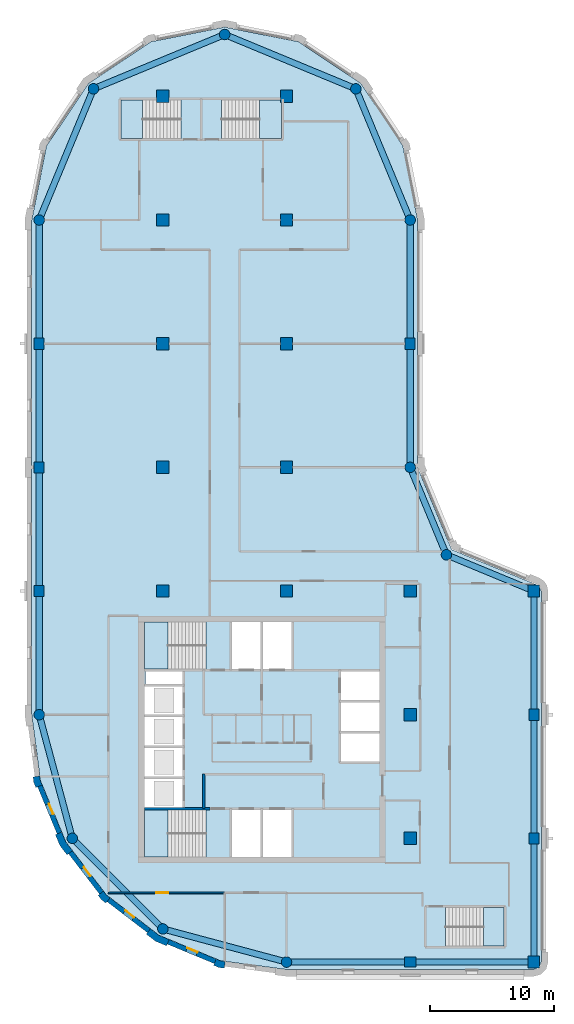
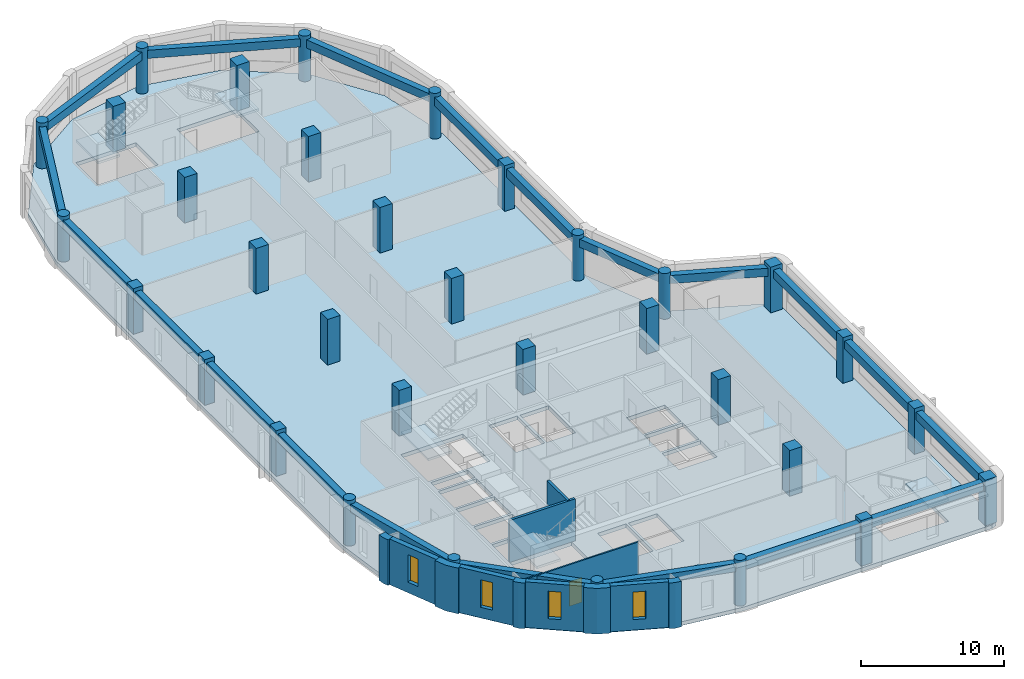
# One storey, part 1 of 8: 33 columns, 20 beams, 12 walls, 6 slabs, 4 windows, 1 door, 5 openings, 5 elements without a shape of their own.
"""IFC4 building model written with IfcOpenShell, lengths in metres."""

from ifc_helpers import new_model, si_unit, direction, frame, frame_2d, origin, origin_2d, place, context, subcontext, project, spatial, polyline, rectangle, circle, outline, extrude, material, layer, layer_set, material_profile, profile_set, type_object, element, fill, aggregate, save


model = new_model("IFC4")

# Units and contexts
model_context = context("Model", 3, precision=1e-05, world=origin(), true_north=direction((0.0, 1.0)))
body_context = subcontext(model_context, "Body", "Model", "MODEL_VIEW")
ifc_project = project(units=[si_unit("LENGTHUNIT", "METRE"), si_unit("AREAUNIT", "SQUARE_METRE"), si_unit("VOLUMEUNIT", "CUBIC_METRE"), si_unit("PLANEANGLEUNIT", "RADIAN"), si_unit("MASSUNIT", "GRAM", prefix="KILO")], contexts=[model_context])

# Site, building, storey
site_placement = place(None, origin())
site = spatial("IfcSite", under=ifc_project, at=site_placement, CompositionType="ELEMENT")
building_placement = place(site_placement, origin())
building = spatial("IfcBuilding", under=site, at=building_placement, Name="Qaws Garden Tower", CompositionType="ELEMENT")
storey_placement = place(building_placement, frame((0.0, 0.0, 298.199951171875)))
storey = spatial("IfcBuildingStorey", under=building, at=storey_placement, Name="L72", CompositionType="ELEMENT", Elevation=298.199951171875)

# Columns
ifc_material_1 = material(Name="Concrete C60", Category="concrete")
ifc_material_profile_1 = material_profile(ifc_material_1, rectangle(XDim=1.0, YDim=1.0, at=origin_2d()), Name="RC 1000x1000")
ifc_profile_set_1 = profile_set([ifc_material_profile_1], Name="Concrete C60")
column_type_1 = type_object("IfcColumnType", Name="Column RC 1000x1000 C60", PredefinedType="COLUMN", material=ifc_profile_set_1)
for number, where, z_axis, x_axis, name in (
    (1, (10.0, 30.0, 0.0), (0.0, 0.0, 1.0), (1.0, 0.0, 0.0), "Column L72-021"),
    (2, (10.0, 40.0, 0.0), (0.0, 0.0, 1.0), (1.0, 0.0, 0.0), "Column L72-022"),
    (3, (10.0, 50.0, 0.0), (0.0, 0.0, 1.0), (1.0, 0.0, 0.0), "Column L72-023"),
    (4, (10.0, 60.0, 0.0), (0.0, 0.0, 1.0), (1.0, 0.0, 0.0), "Column L72-024"),
    (5, (10.0, 70.0, 0.0), (0.0, 0.0, 1.0), (1.0, 0.0, 0.0), "Column L72-025"),
    (6, (20.0, 30.0, 0.0), (0.0, 0.0, 1.0), (1.0, 0.0, 0.0), "Column L72-026"),
    (7, (20.0, 40.0, 0.0), (0.0, 0.0, 1.0), (1.0, 0.0, 0.0), "Column L72-027"),
    (8, (20.0, 50.0, 0.0), (0.0, 0.0, 1.0), (1.0, 0.0, 0.0), "Column L72-028"),
    (9, (20.0, 60.0, 0.0), (0.0, 0.0, 1.0), (1.0, 0.0, 0.0), "Column L72-029"),
    (10, (20.0, 70.0, 0.0), (0.0, 0.0, 1.0), (1.0, 0.0, 0.0), "Column L72-030"),
    (11, (30.0, 10.0, 0.0), (0.0, 0.0, 1.0), (1.0, 0.0, 0.0), "Column L72-031"),
    (12, (30.0, 20.0, 0.0), (0.0, 0.0, 1.0), (1.0, 0.0, 0.0), "Column L72-032"),
    (13, (30.0, 30.0, 0.0), (0.0, 0.0, 1.0), (1.0, 0.0, 0.0), "Column L72-033"),
):
    element("IfcColumn", number, at=place(storey_placement, frame(where, z_axis=z_axis, x_axis=x_axis)), inside=storey, type_object=column_type_1, Name=name, PredefinedType="COLUMN", context=body_context, shape_type="SweptSolid", body=[
        extrude(rectangle(XDim=1.0, YDim=1.0, at=origin_2d()), origin(), (0.0, 0.0, 1.0), 3.900146484375),
    ])
ifc_material_2 = material(Name="Concrete C60", Category="concrete")
ifc_material_profile_2 = material_profile(ifc_material_2, rectangle(XDim=0.89990234375, YDim=0.800048828125, at=origin_2d()), Name="RC 900x800")
ifc_profile_set_2 = profile_set([ifc_material_profile_2], Name="Concrete C60")
column_type_2 = type_object("IfcColumnType", Name="Column RC 900x800 C60", PredefinedType="COLUMN", material=ifc_profile_set_2)
for number, where, z_axis, x_axis, name in (
    (14, (30.0, 0.0, 0.0), (0.0, 0.0, 1.0), (1.0, 0.0, 0.0), "Column L72-002"),
    (15, (40.0, 10.0, 0.0), (0.0, 0.0, 1.0), (0.0, 1.0, 0.0), "Column L72-004"),
    (16, (40.0, 20.0, 0.0), (0.0, 0.0, 1.0), (0.0, 1.0, 0.0), "Column L72-005"),
    (17, (30.0, 50.0, 0.0), (0.0, 0.0, 1.0), (0.0, 1.0, 0.0), "Column L72-009"),
    (18, (0.0, 50.0, 0.0), (0.0, 0.0, 1.0), (0.0, 1.0, 0.0), "Column L72-015"),
    (19, (0.0, 40.0, 0.0), (0.0, 0.0, 1.0), (0.0, 1.0, 0.0), "Column L72-016"),
    (20, (0.0, 30.0, 0.0), (0.0, 0.0, 1.0), (0.0, 1.0, 0.0), "Column L72-017"),
):
    element("IfcColumn", number, at=place(storey_placement, frame(where, z_axis=z_axis, x_axis=x_axis)), inside=storey, type_object=column_type_2, Name=name, PredefinedType="COLUMN", context=body_context, shape_type="SweptSolid", body=[
        extrude(rectangle(XDim=0.89990234375, YDim=0.800048828125, at=origin_2d()), origin(), (0.0, 0.0, 1.0), 3.900146484375),
    ])
ifc_material_3 = material(Name="Concrete C60", Category="concrete")
ifc_material_profile_3 = material_profile(ifc_material_3, rectangle(XDim=0.949951171875, YDim=0.949951171875, at=origin_2d()), Name="RC 950x950")
ifc_profile_set_3 = profile_set([ifc_material_profile_3], Name="Concrete C60")
column_type_3 = type_object("IfcColumnType", Name="Column RC 950x950 C60", PredefinedType="COLUMN", material=ifc_profile_set_3)
for number, where, z_axis, x_axis, name in (
    (21, (40.0, 0.0, 0.0), (0.0, 0.0, 1.0), (1.0, 0.0, 0.0), "Column L72-003"),
    (22, (40.0, 30.0, 0.0), (0.0, 0.0, 1.0), (1.0, 0.0, 0.0), "Column L72-006"),
):
    element("IfcColumn", number, at=place(storey_placement, frame(where, z_axis=z_axis, x_axis=x_axis)), inside=storey, type_object=column_type_3, Name=name, PredefinedType="COLUMN", context=body_context, shape_type="SweptSolid", body=[
        extrude(rectangle(XDim=0.949951171875, YDim=0.949951171875, at=origin_2d()), origin(), (0.0, 0.0, 1.0), 3.900146484375),
    ])
ifc_material_4 = material(Name="Concrete C60", Category="concrete")
ifc_material_profile_4 = material_profile(ifc_material_4, circle(Radius=0.425048828125, at=origin_2d()), Name="RC D850")
ifc_profile_set_4 = profile_set([ifc_material_profile_4], Name="Concrete C60")
column_type_4 = type_object("IfcColumnType", Name="Column RC D850 C60", PredefinedType="COLUMN", material=ifc_profile_set_4)
for number, where, z_axis, x_axis, name in (
    (23, (20.0, 0.0, 0.0), (0.0, 0.0, 1.0), (1.0, 0.0, 0.0), "Column L72-001"),
    (24, (32.928955078125, 32.928955078125, 0.0), (0.0, 0.0, 1.0), (1.0, 0.0, 0.0), "Column L72-007"),
    (25, (30.0, 40.0, 0.0), (0.0, 0.0, 1.0), (1.0, 0.0, 0.0), "Column L72-008"),
    (26, (30.0, 60.0, 0.0), (0.0, 0.0, 1.0), (1.0, 0.0, 0.0), "Column L72-010"),
    (27, (25.606689453125, 70.606689453125, 0.0), (0.0, 0.0, 1.0), (1.0, 0.0, 0.0), "Column L72-011"),
    (28, (15.0, 75.0, 0.0), (0.0, 0.0, 1.0), (1.0, 0.0, 0.0), "Column L72-012"),
    (29, (4.393310546875, 70.606689453125, 0.0), (0.0, 0.0, 1.0), (1.0, 0.0, 0.0), "Column L72-013"),
    (30, (0.0, 60.0, 0.0), (0.0, 0.0, 1.0), (1.0, 0.0, 0.0), "Column L72-014"),
    (31, (0.0, 20.0, 0.0), (0.0, 0.0, 1.0), (1.0, 0.0, 0.0), "Column L72-018"),
    (32, (2.679443359375, 10.0, 0.0), (0.0, 0.0, 1.0), (1.0, 0.0, 0.0), "Column L72-019"),
    (33, (10.0, 2.679443359375, 0.0), (0.0, 0.0, 1.0), (1.0, 0.0, 0.0), "Column L72-020"),
):
    element("IfcColumn", number, at=place(storey_placement, frame(where, z_axis=z_axis, x_axis=x_axis)), inside=storey, type_object=column_type_4, Name=name, PredefinedType="COLUMN", context=body_context, shape_type="SweptSolid", body=[
        extrude(circle(Radius=0.425048828125, at=origin_2d()), origin(), (0.0, 0.0, 1.0), 3.900146484375),
    ])

# Beams
ifc_material_5 = material(Name="Concrete C45", Category="concrete")
ifc_material_profile_5 = material_profile(ifc_material_5, rectangle(XDim=0.5, YDim=0.699951171875, at=origin_2d()), Name="RC 500x700")
ifc_profile_set_5 = profile_set([ifc_material_profile_5], Name="Concrete C45")
beam_type = type_object("IfcBeamType", Name="Spandrel beam RC 500x700 C45", PredefinedType="SPANDREL", material=ifc_profile_set_5)
for number, where, z_axis, x_axis, name in (
    (34, (20.0, 0.0, 3.22998046875), (1.0, 0.0, 0.0), (0.0, 1.0, 0.0), "Spandrel beam L72-001"),
    (35, (30.0, 0.0, 3.22998046875), (1.0, 0.0, 0.0), (0.0, 1.0, 0.0), "Spandrel beam L72-002"),
    (36, (40.0, 0.0, 3.22998046875), (0.0, 1.0, 0.0), (-1.0, 0.0, 0.0), "Spandrel beam L72-003"),
    (37, (40.0, 10.0, 3.22998046875), (0.0, 1.0, 0.0), (-1.0, 0.0, 0.0), "Spandrel beam L72-004"),
    (38, (40.0, 20.0, 3.22998046875), (0.0, 1.0, 0.0), (-1.0, 0.0, 0.0), "Spandrel beam L72-005"),
):
    element("IfcBeam", number, at=place(storey_placement, frame(where, z_axis=z_axis, x_axis=x_axis)), inside=storey, type_object=beam_type, Name=name, PredefinedType="SPANDREL", context=body_context, shape_type="SweptSolid", body=[
        extrude(rectangle(XDim=0.5, YDim=0.699951171875, at=origin_2d()), origin(), (0.0, 0.0, 1.0), 10.0),
    ])
for number, where, z_axis, x_axis, name in (
    (39, (40.0, 30.0, 3.22998046875), (-0.923878037141, 0.382687042488, 0.0), (-0.382687042488, -0.923878037141, 0.0), "Spandrel beam L72-006"),
    (40, (32.928955078125, 32.928955078125, 3.22998046875), (-0.382687042488, 0.923878037141, 0.0), (-0.923878037141, -0.382687042488, 0.0), "Spandrel beam L72-007"),
):
    element("IfcBeam", number, at=place(storey_placement, frame(where, z_axis=z_axis, x_axis=x_axis)), inside=storey, type_object=beam_type, Name=name, PredefinedType="SPANDREL", context=body_context, shape_type="SweptSolid", body=[
        extrude(rectangle(XDim=0.5, YDim=0.699951171875, at=origin_2d()), origin(), (0.0, 0.0, 1.0), 7.653564453125),
    ])
for number, where, z_axis, x_axis, name in (
    (41, (30.0, 40.0, 3.22998046875), (0.0, 1.0, 0.0), (-1.0, 0.0, 0.0), "Spandrel beam L72-008"),
    (42, (30.0, 50.0, 3.22998046875), (0.0, 1.0, 0.0), (-1.0, 0.0, 0.0), "Spandrel beam L72-009"),
):
    element("IfcBeam", number, at=place(storey_placement, frame(where, z_axis=z_axis, x_axis=x_axis)), inside=storey, type_object=beam_type, Name=name, PredefinedType="SPANDREL", context=body_context, shape_type="SweptSolid", body=[
        extrude(rectangle(XDim=0.5, YDim=0.699951171875, at=origin_2d()), origin(), (0.0, 0.0, 1.0), 10.0),
    ])
for number, where, z_axis, x_axis, name in (
    (43, (30.0, 60.0, 3.22998046875), (-0.382674207535, 0.923883353507, 0.0), (-0.923883353507, -0.382674207535, 0.0), "Spandrel beam L72-010"),
    (44, (25.606689453125, 70.606689453125, 3.22998046875), (-0.923883353507, 0.382674207535, 0.0), (-0.382674207535, -0.923883353507, 0.0), "Spandrel beam L72-011"),
    (45, (15.0, 75.0, 3.22998046875), (-0.923883353507, -0.382674207535, 0.0), (0.382674207535, -0.923883353507, 0.0), "Spandrel beam L72-012"),
    (46, (4.393310546875, 70.606689453125, 3.22998046875), (-0.382674207535, -0.923883353507, 0.0), (0.923883353507, -0.382674207535, 0.0), "Spandrel beam L72-013"),
):
    element("IfcBeam", number, at=place(storey_placement, frame(where, z_axis=z_axis, x_axis=x_axis)), inside=storey, type_object=beam_type, Name=name, PredefinedType="SPANDREL", context=body_context, shape_type="SweptSolid", body=[
        extrude(rectangle(XDim=0.5, YDim=0.699951171875, at=origin_2d()), origin(), (0.0, 0.0, 1.0), 11.48046875),
    ])
for number, where, z_axis, x_axis, name in (
    (47, (0.0, 60.0, 3.22998046875), (0.0, -1.0, 0.0), (1.0, 0.0, 0.0), "Spandrel beam L72-014"),
    (48, (0.0, 50.0, 3.22998046875), (0.0, -1.0, 0.0), (1.0, 0.0, 0.0), "Spandrel beam L72-015"),
    (49, (0.0, 40.0, 3.22998046875), (0.0, -1.0, 0.0), (1.0, 0.0, 0.0), "Spandrel beam L72-016"),
    (50, (0.0, 30.0, 3.22998046875), (0.0, -1.0, 0.0), (1.0, 0.0, 0.0), "Spandrel beam L72-017"),
):
    element("IfcBeam", number, at=place(storey_placement, frame(where, z_axis=z_axis, x_axis=x_axis)), inside=storey, type_object=beam_type, Name=name, PredefinedType="SPANDREL", context=body_context, shape_type="SweptSolid", body=[
        extrude(rectangle(XDim=0.5, YDim=0.699951171875, at=origin_2d()), origin(), (0.0, 0.0, 1.0), 10.0),
    ])
for number, where, z_axis, x_axis, name in (
    (51, (0.0, 20.0, 3.22998046875), (0.25881466832, -0.965926999034, 0.0), (0.965926999034, 0.25881466832, 0.0), "Spandrel beam L72-018"),
    (52, (2.679443359375, 10.0, 3.22998046875), (0.707106781187, -0.707106781187, 0.0), (0.707106781187, 0.707106781187, 0.0), "Spandrel beam L72-019"),
    (53, (10.0, 2.679443359375, 3.22998046875), (0.965926999034, -0.25881466832, 0.0), (0.25881466832, 0.965926999034, 0.0), "Spandrel beam L72-020"),
):
    element("IfcBeam", number, at=place(storey_placement, frame(where, z_axis=z_axis, x_axis=x_axis)), inside=storey, type_object=beam_type, Name=name, PredefinedType="SPANDREL", context=body_context, shape_type="SweptSolid", body=[
        extrude(rectangle(XDim=0.5, YDim=0.699951171875, at=origin_2d()), origin(), (0.0, 0.0, 1.0), 10.352783203125),
    ])

# Slab
ifc_material_6 = material(Name="Concrete C40", Category="concrete")
ifc_layer_1 = layer(ifc_material_6, 0.320068359375)
ifc_layer_set_1 = layer_set([ifc_layer_1], Name="Concrete C40")
slab_type_1 = type_object("IfcSlabType", Name="Floor slab 320 C40", PredefinedType="FLOOR", material=ifc_layer_set_1)
slab_1_placement = place(storey_placement, frame((0.0, 0.0, -0.320068359375)))
element("IfcSlab", 54, at=slab_1_placement, inside=storey, type_object=slab_type_1, Name="Floor slab L72", PredefinedType="FLOOR", context=body_context, shape_type="SweptSolid", body=[
    extrude(outline(polyline([(0.101806640625, 14.668212890625), (-0.60009765625, 20.0), (-0.60009765625, 30.60009765625), (-0.60009765625, 60.0), (-0.60009765625, 60.0), (0.58740234375, 65.969970703125), (3.968994140625, 71.031005859375), (9.030029296875, 74.41259765625), (15.0, 75.60009765625), (20.969970703125, 74.41259765625), (26.031005859375, 71.031005859375), (29.41259765625, 65.969970703125), (30.60009765625, 60.0), (30.60009765625, 40.0), (33.353271484375, 33.353271484375), (40.0, 30.60009765625), (40.42431640625, 30.42431640625), (40.60009765625, 30.0), (40.60009765625, 0.0), (40.42431640625, -0.42431640625), (40.0, -0.60009765625), (30.60009765625, -0.60009765625), (20.0, -0.60009765625), (14.668212890625, 0.101806640625), (9.699951171875, 2.159912109375), (5.43359375, 5.43359375), (2.159912109375, 9.699951171875), (0.101806640625, 14.668212890625)]), holes=[polyline([(13.49951171875, 12.300048828125), (8.5, 12.300048828125), (8.5, 8.5), (13.49951171875, 8.5), (13.49951171875, 12.300048828125)]), polyline([(17.89990234375, 12.300048828125), (15.60009765625, 12.300048828125), (15.60009765625, 8.5), (17.89990234375, 8.5), (17.89990234375, 12.300048828125)]), polyline([(11.60009765625, 14.800048828125), (8.5, 14.800048828125), (8.5, 12.5), (11.60009765625, 12.5), (11.60009765625, 14.800048828125)]), polyline([(11.60009765625, 17.300048828125), (8.5, 17.300048828125), (8.5, 15.0), (11.60009765625, 15.0), (11.60009765625, 17.300048828125)]), polyline([(11.60009765625, 19.800048828125), (8.5, 19.800048828125), (8.5, 17.5), (11.60009765625, 17.5), (11.60009765625, 19.800048828125)]), polyline([(11.60009765625, 22.300048828125), (8.5, 22.300048828125), (8.5, 20.0), (11.60009765625, 20.0), (11.60009765625, 22.300048828125)]), polyline([(11.60009765625, 23.5), (8.60009765625, 23.5), (8.60009765625, 22.5), (11.60009765625, 22.5), (11.60009765625, 23.5)]), polyline([(13.49951171875, 27.5), (8.5, 27.5), (8.5, 23.699951171875), (13.49951171875, 23.699951171875), (13.49951171875, 27.5)]), polyline([(11.449462890625, 69.699951171875), (6.60009765625, 69.699951171875), (6.60009765625, 66.60009765625), (11.449462890625, 66.60009765625), (11.449462890625, 69.699951171875)]), polyline([(37.60009765625, 4.39990234375), (32.8505859375, 4.39990234375), (32.8505859375, 1.300048828125), (37.60009765625, 1.300048828125), (37.60009765625, 4.39990234375)]), polyline([(20.39990234375, 12.300048828125), (18.10009765625, 12.300048828125), (18.10009765625, 8.5), (20.39990234375, 8.5), (20.39990234375, 12.300048828125)]), polyline([(27.5, 18.5), (24.39990234375, 18.5), (24.39990234375, 16.199951171875), (27.5, 16.199951171875), (27.5, 18.5)]), polyline([(27.5, 21.0), (24.39990234375, 21.0), (24.39990234375, 18.699951171875), (27.5, 18.699951171875), (27.5, 21.0)]), polyline([(27.5, 23.5), (24.39990234375, 23.5), (24.39990234375, 21.199951171875), (27.5, 21.199951171875), (27.5, 23.5)]), polyline([(17.89990234375, 27.5), (15.60009765625, 27.5), (15.60009765625, 23.699951171875), (17.89990234375, 23.699951171875), (17.89990234375, 27.5)]), polyline([(20.39990234375, 23.699951171875), (20.39990234375, 27.5), (18.10009765625, 27.5), (18.10009765625, 23.699951171875), (20.39990234375, 23.699951171875)]), polyline([(19.60009765625, 66.60009765625), (19.60009765625, 69.699951171875), (14.75048828125, 69.699951171875), (14.75048828125, 66.60009765625), (19.60009765625, 66.60009765625)])]), origin(), (0.0, 0.0, 1.0), 0.320068359375),
])

# Stair, slab
ifc_material_7 = material(Name="Concrete C40", Category="concrete")
stair_type_1 = type_object("IfcStairType", Name="Exit stair 1500", PredefinedType="HALF_TURN_STAIR", material=ifc_material_7)
placement_1 = place(storey_placement, origin())
stair_1 = element("IfcStair", 55, at=placement_1, inside=storey, type_object=stair_type_1, Name="Stair 1", PredefinedType="HALF_TURN_STAIR")
ifc_material_8 = material(Name="Concrete C40", Category="concrete")
ifc_layer_2 = layer(ifc_material_8, 0.199951171875)
ifc_layer_set_2 = layer_set([ifc_layer_2], Name="Concrete C40")
slab_type_2 = type_object("IfcSlabType", Name="Stair landing 200", PredefinedType="LANDING", material=ifc_layer_set_2)
placement_2 = place(storey_placement, frame((0.0, 0.0, 1.75)))
slab_2 = element("IfcSlab", 56, at=placement_2, type_object=slab_type_2, Name="ST1 landing 1", PredefinedType="LANDING", context=body_context, shape_type="SweptSolid", body=[
    extrude(outline(polyline([(8.5, 8.5), (10.419921875, 8.5), (10.419921875, 12.300048828125), (8.5, 12.300048828125), (8.5, 8.5)])), origin(), (0.0, 0.0, 1.0), 0.199951171875),
])
aggregate(stair_1, [slab_2])

stair_2 = element("IfcStair", 57, at=placement_1, inside=storey, type_object=stair_type_1, Name="Stair 4", PredefinedType="HALF_TURN_STAIR")
slab_3 = element("IfcSlab", 58, at=placement_2, type_object=slab_type_2, Name="ST4 landing 1", PredefinedType="LANDING", context=body_context, shape_type="SweptSolid", body=[
    extrude(outline(polyline([(8.5, 23.699951171875), (10.419921875, 23.699951171875), (10.419921875, 27.5), (8.5, 27.5), (8.5, 23.699951171875)])), origin(), (0.0, 0.0, 1.0), 0.199951171875),
])
aggregate(stair_2, [slab_3])

ifc_material_9 = material(Name="Concrete C40", Category="concrete")
stair_type_2 = type_object("IfcStairType", Name="Exit stair 1350", PredefinedType="HALF_TURN_STAIR", material=ifc_material_9)
stair_3 = element("IfcStair", 59, at=placement_1, inside=storey, type_object=stair_type_2, Name="Stair 5", PredefinedType="HALF_TURN_STAIR")
slab_4 = element("IfcSlab", 60, at=placement_2, type_object=slab_type_2, Name="ST5 landing 1", PredefinedType="LANDING", context=body_context, shape_type="SweptSolid", body=[
    extrude(outline(polyline([(35.929931640625, 1.300048828125), (37.60009765625, 1.300048828125), (37.60009765625, 4.39990234375), (35.929931640625, 4.39990234375), (35.929931640625, 1.300048828125)])), origin(), (0.0, 0.0, 1.0), 0.199951171875),
])
aggregate(stair_3, [slab_4])

stair_4 = element("IfcStair", 61, at=placement_1, inside=storey, type_object=stair_type_2, Name="Stair 6", PredefinedType="HALF_TURN_STAIR")
slab_5 = element("IfcSlab", 62, at=placement_2, type_object=slab_type_2, Name="ST6 landing 1", PredefinedType="LANDING", context=body_context, shape_type="SweptSolid", body=[
    extrude(outline(polyline([(6.60009765625, 66.60009765625), (8.3701171875, 66.60009765625), (8.3701171875, 69.699951171875), (6.60009765625, 69.699951171875), (6.60009765625, 66.60009765625)])), origin(), (0.0, 0.0, 1.0), 0.199951171875),
])
aggregate(stair_4, [slab_5])

stair_5 = element("IfcStair", 63, at=placement_1, inside=storey, type_object=stair_type_2, Name="Stair 7", PredefinedType="HALF_TURN_STAIR")
slab_6 = element("IfcSlab", 64, at=placement_2, type_object=slab_type_2, Name="ST7 landing 1", PredefinedType="LANDING", context=body_context, shape_type="SweptSolid", body=[
    extrude(outline(polyline([(17.830078125, 66.60009765625), (19.60009765625, 66.60009765625), (19.60009765625, 69.699951171875), (17.830078125, 69.699951171875), (17.830078125, 66.60009765625)])), origin(), (0.0, 0.0, 1.0), 0.199951171875),
])
aggregate(stair_5, [slab_6])

# Wall, opening, window
ifc_material_10 = material(Name="Clay facing brick masonry", Category="masonry")
ifc_layer_3 = layer(ifc_material_10, 0.39990234375)
ifc_layer_set_3 = layer_set([ifc_layer_3], Name="Clay facing brick masonry")
wall_type_1 = type_object("IfcWallType", Name="Brick infill wall 400", PredefinedType="SOLIDWALL", material=ifc_layer_set_3)
wall_1_placement = place(storey_placement, frame((0.05712890625, 14.240234375, 0.0), z_axis=(0.0, 0.0, 1.0), x_axis=(0.382721546029, -0.923863744394, 0.0)))
wall_1 = element("IfcWall", 65, at=wall_1_placement, inside=storey, type_object=wall_type_1, Name="E-L72-infill-22", PredefinedType="SOLIDWALL", context=body_context, shape_type="SweptSolid", body=[
    extrude(rectangle(XDim=4.120849609375, YDim=0.39990234375, at=frame_2d((2.060546875, 0.0))), origin(), (0.0, 0.0, 1.0), 3.900146484375),
])
opening_1_placement = place(wall_1_placement, frame((1.610595703125, 0.0, 0.89990234375)))
opening_1 = element("IfcOpeningElement", 66, at=opening_1_placement, cuts=wall_1, Name="Opening W09", PredefinedType="OPENING", context=body_context, shape_type="SweptSolid", body=[
    extrude(rectangle(XDim=0.89990234375, YDim=2.35009765625, at=frame_2d((0.449951171875, 1.175048828125))), frame((0.0, 0.2099609375, 0.0), z_axis=(0.0, -1.0, 0.0), x_axis=(1.0, 0.0, 0.0)), (0.0, 0.0, 1.0), 0.419921875),
])
ifc_material_11 = material(Name="Aluminium framed window, clear glazing", Category="aluminium")
window_type = type_object("IfcWindowType", Name="Slit window 900 x 2350", PartitioningType="SINGLE_PANEL", PredefinedType="WINDOW", material=ifc_material_11)
window_1_placement = place(opening_1_placement, origin())
window_1 = element("IfcWindow", 67, at=window_1_placement, inside=storey, type_object=window_type, Name="E-L72-window-22-0", OverallHeight=2.35009765625, OverallWidth=0.89990234375, PartitioningType="SINGLE_PANEL", PredefinedType="WINDOW", context=body_context, shape_type="SweptSolid", body=[
    extrude(rectangle(XDim=0.89990234375, YDim=2.35009765625, at=frame_2d((0.449951171875, 1.175048828125))), frame((0.0, 0.159912109375, 0.0), z_axis=(0.0, -1.0, 0.0), x_axis=(1.0, 0.0, 0.0)), (0.0, 0.0, 1.0), 0.06005859375),
])
fill(opening_1, window_1)

wall_2_placement = place(storey_placement, frame((2.53173828125, 8.87841796875, 0.0), z_axis=(0.0, 0.0, 1.0), x_axis=(0.608759824817, -0.793354571229, 0.0)))
wall_2 = element("IfcWall", 68, at=wall_2_placement, inside=storey, type_object=wall_type_1, Name="E-L72-infill-23", PredefinedType="SOLIDWALL", context=body_context, shape_type="SweptSolid", body=[
    extrude(rectangle(XDim=4.12109375, YDim=0.39990234375, at=frame_2d((2.060546875, 0.0))), origin(), (0.0, 0.0, 1.0), 3.900146484375),
])
opening_2_placement = place(wall_2_placement, frame((1.610595703125, 0.0, 0.89990234375)))
opening_2 = element("IfcOpeningElement", 69, at=opening_2_placement, cuts=wall_2, Name="Opening W09", PredefinedType="OPENING", context=body_context, shape_type="SweptSolid", body=[
    extrude(rectangle(XDim=0.89990234375, YDim=2.35009765625, at=frame_2d((0.449951171875, 1.175048828125))), frame((0.0, 0.2099609375, 0.0), z_axis=(0.0, -1.0, 0.0), x_axis=(1.0, 0.0, 0.0)), (0.0, 0.0, 1.0), 0.419921875),
])
window_2_placement = place(opening_2_placement, origin())
window_2 = element("IfcWindow", 70, at=window_2_placement, inside=storey, type_object=window_type, Name="E-L72-window-23-0", OverallHeight=2.35009765625, OverallWidth=0.89990234375, PartitioningType="SINGLE_PANEL", PredefinedType="WINDOW", context=body_context, shape_type="SweptSolid", body=[
    extrude(rectangle(XDim=0.89990234375, YDim=2.35009765625, at=frame_2d((0.449951171875, 1.175048828125))), frame((0.0, 0.159912109375, 0.0), z_axis=(0.0, -1.0, 0.0), x_axis=(1.0, 0.0, 0.0)), (0.0, 0.0, 1.0), 0.06005859375),
])
fill(opening_2, window_2)

wall_3_placement = place(storey_placement, frame((5.60888671875, 5.04052734375, 0.0), z_axis=(0.0, 0.0, 1.0), x_axis=(0.793354571229, -0.608759824817, 0.0)))
wall_3 = element("IfcWall", 71, at=wall_3_placement, inside=storey, type_object=wall_type_1, Name="E-L72-infill-24", PredefinedType="SOLIDWALL", context=body_context, shape_type="SweptSolid", body=[
    extrude(rectangle(XDim=4.12109375, YDim=0.39990234375, at=frame_2d((2.060546875, 0.0))), origin(), (0.0, 0.0, 1.0), 3.900146484375),
])
opening_3_placement = place(wall_3_placement, frame((1.610595703125, 0.0, 0.89990234375)))
opening_3 = element("IfcOpeningElement", 72, at=opening_3_placement, cuts=wall_3, Name="Opening W09", PredefinedType="OPENING", context=body_context, shape_type="SweptSolid", body=[
    extrude(rectangle(XDim=0.89990234375, YDim=2.35009765625, at=frame_2d((0.449951171875, 1.175048828125))), frame((0.0, 0.2099609375, 0.0), z_axis=(0.0, -1.0, 0.0), x_axis=(1.0, 0.0, 0.0)), (0.0, 0.0, 1.0), 0.419921875),
])
window_3_placement = place(opening_3_placement, origin())
window_3 = element("IfcWindow", 73, at=window_3_placement, inside=storey, type_object=window_type, Name="E-L72-window-24-0", OverallHeight=2.35009765625, OverallWidth=0.89990234375, PartitioningType="SINGLE_PANEL", PredefinedType="WINDOW", context=body_context, shape_type="SweptSolid", body=[
    extrude(rectangle(XDim=0.89990234375, YDim=2.35009765625, at=frame_2d((0.449951171875, 1.175048828125))), frame((0.0, 0.159912109375, 0.0), z_axis=(0.0, -1.0, 0.0), x_axis=(1.0, 0.0, 0.0)), (0.0, 0.0, 1.0), 0.06005859375),
])
fill(opening_3, window_3)

wall_4_placement = place(storey_placement, frame((10.43310546875, 1.63427734375, 0.0), z_axis=(0.0, 0.0, 1.0), x_axis=(0.923863744394, -0.382721546029, 0.0)))
wall_4 = element("IfcWall", 74, at=wall_4_placement, inside=storey, type_object=wall_type_1, Name="E-L72-infill-25", PredefinedType="SOLIDWALL", context=body_context, shape_type="SweptSolid", body=[
    extrude(rectangle(XDim=4.120849609375, YDim=0.39990234375, at=frame_2d((2.060546875, 0.0))), origin(), (0.0, 0.0, 1.0), 3.900146484375),
])
opening_4_placement = place(wall_4_placement, frame((1.610595703125, 0.0, 0.89990234375)))
opening_4 = element("IfcOpeningElement", 75, at=opening_4_placement, cuts=wall_4, Name="Opening W09", PredefinedType="OPENING", context=body_context, shape_type="SweptSolid", body=[
    extrude(rectangle(XDim=0.89990234375, YDim=2.35009765625, at=frame_2d((0.449951171875, 1.175048828125))), frame((0.0, 0.2099609375, 0.0), z_axis=(0.0, -1.0, 0.0), x_axis=(1.0, 0.0, 0.0)), (0.0, 0.0, 1.0), 0.419921875),
])
window_4_placement = place(opening_4_placement, origin())
window_4 = element("IfcWindow", 76, at=window_4_placement, inside=storey, type_object=window_type, Name="E-L72-window-25-0", OverallHeight=2.35009765625, OverallWidth=0.89990234375, PartitioningType="SINGLE_PANEL", PredefinedType="WINDOW", context=body_context, shape_type="SweptSolid", body=[
    extrude(rectangle(XDim=0.89990234375, YDim=2.35009765625, at=frame_2d((0.449951171875, 1.175048828125))), frame((0.0, 0.159912109375, 0.0), z_axis=(0.0, -1.0, 0.0), x_axis=(1.0, 0.0, 0.0)), (0.0, 0.0, 1.0), 0.06005859375),
])
fill(opening_4, window_4)

# Walls
ifc_material_12 = material(Name="Clay facing brick masonry", Category="masonry")
ifc_layer_4 = layer(ifc_material_12, 0.550048828125)
ifc_layer_set_4 = layer_set([ifc_layer_4], Name="Clay facing brick masonry")
wall_type_2 = type_object("IfcWallType", Name="Brick kink pier 550 x 600", PredefinedType="SOLIDWALL", material=ifc_layer_set_4)
element("IfcWall", 77, at=placement_1, inside=storey, type_object=wall_type_2, Name="E-L72-pier-22", PredefinedType="SOLIDWALL", context=body_context, shape_type="SweptSolid", body=[
    extrude(outline(polyline([(-0.34912109375, 14.990478515625), (-0.497802734375, 14.970947265625), (-0.43896484375, 14.5234375), (-0.26611328125, 14.1064453125), (-0.127685546875, 14.163818359375), (0.241943359375, 14.31689453125), (0.096923828125, 14.6669921875), (0.04736328125, 15.042724609375), (-0.34912109375, 14.990478515625)])), origin(), (0.0, 0.0, 1.0), 3.900146484375),
])
element("IfcWall", 78, at=placement_1, inside=storey, type_object=wall_type_2, Name="E-L72-pier-24", PredefinedType="SOLIDWALL", context=body_context, shape_type="SweptSolid", body=[
    extrude(outline(polyline([(4.8818359375, 5.487060546875), (4.762939453125, 5.395751953125), (5.03759765625, 5.03759765625), (5.395751953125, 4.762939453125), (5.487060546875, 4.8818359375), (5.730712890625, 5.19921875), (5.429931640625, 5.429931640625), (5.19921875, 5.730712890625), (4.8818359375, 5.487060546875)])), origin(), (0.0, 0.0, 1.0), 3.900146484375),
])
element("IfcWall", 79, at=placement_1, inside=storey, type_object=wall_type_2, Name="E-L72-pier-26", PredefinedType="SOLIDWALL", context=body_context, shape_type="SweptSolid", body=[
    extrude(outline(polyline([(14.163818359375, -0.127685546875), (14.1064453125, -0.26611328125), (14.5234375, -0.43896484375), (14.970947265625, -0.497802734375), (14.990478515625, -0.34912109375), (15.042724609375, 0.04736328125), (14.6669921875, 0.096923828125), (14.31689453125, 0.241943359375), (14.163818359375, -0.127685546875)])), origin(), (0.0, 0.0, 1.0), 3.900146484375),
])
ifc_material_13 = material(Name="Clay facing brick masonry", Category="masonry")
ifc_layer_5 = layer(ifc_material_13, 0.550048828125)
ifc_layer_set_5 = layer_set([ifc_layer_5], Name="Clay facing brick masonry")
wall_type_3 = type_object("IfcWallType", Name="Brick pier 550 x 1600", PredefinedType="SOLIDWALL", material=ifc_layer_set_5)
element("IfcWall", 80, at=placement_1, inside=storey, type_object=wall_type_3, Name="E-L72-pier-23", PredefinedType="SOLIDWALL", context=body_context, shape_type="SweptSolid", body=[
    extrude(outline(polyline([(1.449462890625, 10.3564453125), (1.310791015625, 10.299072265625), (1.675048828125, 9.419921875), (2.254150390625, 8.665283203125), (2.373046875, 8.756591796875), (2.6904296875, 9.0), (2.1552734375, 9.697509765625), (1.819091796875, 10.509521484375), (1.449462890625, 10.3564453125)])), origin(), (0.0, 0.0, 1.0), 3.900146484375),
])
element("IfcWall", 81, at=placement_1, inside=storey, type_object=wall_type_3, Name="E-L72-pier-25", PredefinedType="SOLIDWALL", context=body_context, shape_type="SweptSolid", body=[
    extrude(outline(polyline([(8.756591796875, 2.373046875), (8.665283203125, 2.254150390625), (9.419921875, 1.675048828125), (10.299072265625, 1.310791015625), (10.3564453125, 1.449462890625), (10.509521484375, 1.819091796875), (9.697509765625, 2.1552734375), (9.0, 2.6904296875), (8.756591796875, 2.373046875)])), origin(), (0.0, 0.0, 1.0), 3.900146484375),
])
ifc_material_14 = material(Name="Concrete C60", Category="concrete")
ifc_layer_6 = layer(ifc_material_14, 0.199951171875)
ifc_layer_set_6 = layer_set([ifc_layer_6], Name="Concrete C60")
wall_type_4 = type_object("IfcWallType", Name="Core shaft wall 200 C60", PredefinedType="SHEAR", material=ifc_layer_set_6)
wall_10_placement = place(storey_placement, frame((8.5, 12.39990234375, 0.0), z_axis=(0.0, 0.0, 1.0), x_axis=(1.0, 0.0, 0.0)))
element("IfcWall", 82, at=wall_10_placement, inside=storey, type_object=wall_type_4, Name="Shaft wall", PredefinedType="SHEAR", context=body_context, shape_type="SweptSolid", body=[
    extrude(rectangle(XDim=5.300048828125, YDim=0.199951171875, at=frame_2d((2.64990234375, 0.0))), origin(), (0.0, 0.0, 1.0), 3.580078125),
])
wall_11_placement = place(storey_placement, frame((13.300048828125, 12.39990234375, 0.0), z_axis=(0.0, 0.0, 1.0), x_axis=(0.0, 1.0, 0.0)))
element("IfcWall", 83, at=wall_11_placement, inside=storey, type_object=wall_type_4, Name="Shaft wall", PredefinedType="SHEAR", context=body_context, shape_type="SweptSolid", body=[
    extrude(rectangle(XDim=2.800048828125, YDim=0.199951171875, at=frame_2d((1.39990234375, 0.0))), origin(), (0.0, 0.0, 1.0), 3.580078125),
])

# Wall, opening, door
ifc_material_15 = material(Name="Glass and aluminium framing", Category="aluminium")
ifc_layer_7 = layer(ifc_material_15, 0.1201171875)
ifc_layer_set_7 = layer_set([ifc_layer_7], Name="Glass and aluminium framing")
wall_type_5 = type_object("IfcWallType", Name="GLAZED PARTITION 120 EI 30", PredefinedType="PARTITIONING", material=ifc_layer_set_7)
wall_12_placement = place(storey_placement, frame((5.60009765625, 5.60009765625, 0.0), z_axis=(0.0, 0.0, 1.0), x_axis=(1.0, 0.0, 0.0)))
wall_12 = element("IfcWall", 84, at=wall_12_placement, inside=storey, type_object=wall_type_5, Name="O-L72-wall-041", PredefinedType="PARTITIONING", context=body_context, shape_type="SweptSolid", body=[
    extrude(rectangle(XDim=9.39990234375, YDim=0.1201171875, at=frame_2d((4.699951171875, 0.0))), origin(), (0.0, 0.0, 1.0), 3.580078125),
])
opening_5_placement = place(wall_12_placement, frame((3.85009765625, 0.0, 0.0)))
opening_5 = element("IfcOpeningElement", 85, at=opening_5_placement, cuts=wall_12, Name="Opening C609", PredefinedType="OPENING", context=body_context, shape_type="SweptSolid", body=[
    extrude(rectangle(XDim=1.0, YDim=2.10009765625, at=frame_2d((0.5, 1.050048828125))), frame((0.0, 0.070068359375, 0.0), z_axis=(0.0, -1.0, 0.0), x_axis=(1.0, 0.0, 0.0)), (0.0, 0.0, 1.0), 0.14013671875),
])
ifc_material_16 = material(Name="Timber door leaf", Category="wood")
door_type = type_object("IfcDoorType", Name="TENANCY ENTRANCE DOOR 1000 X 2100", OperationType="SINGLE_SWING_LEFT", PredefinedType="DOOR", material=ifc_material_16)
door_placement = place(opening_5_placement, frame((1.0, 0.0, 0.0), z_axis=(0.0, 0.0, 1.0), x_axis=(-1.0, 0.0, 0.0)))
door = element("IfcDoor", 86, at=door_placement, inside=storey, type_object=door_type, Name="O-L72-door-009", OperationType="SINGLE_SWING_LEFT", OverallHeight=2.10009765625, OverallWidth=1.0, PredefinedType="DOOR", context=body_context, shape_type="SweptSolid", body=[
    extrude(rectangle(XDim=1.0, YDim=2.10009765625, at=frame_2d((0.5, 1.050048828125))), frame((0.0, 0.02490234375, 0.0), z_axis=(0.0, -1.0, 0.0), x_axis=(1.0, 0.0, 0.0)), (0.0, 0.0, 1.0), 0.050048828125),
])
fill(opening_5, door)

save(model, "model.ifc")
